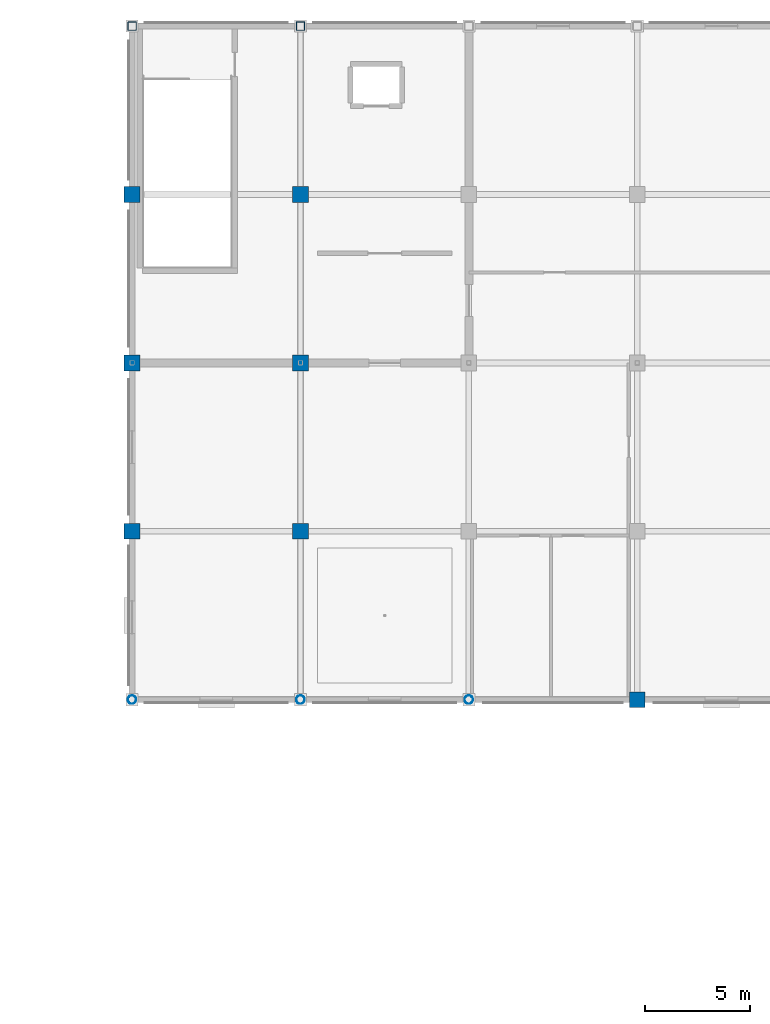
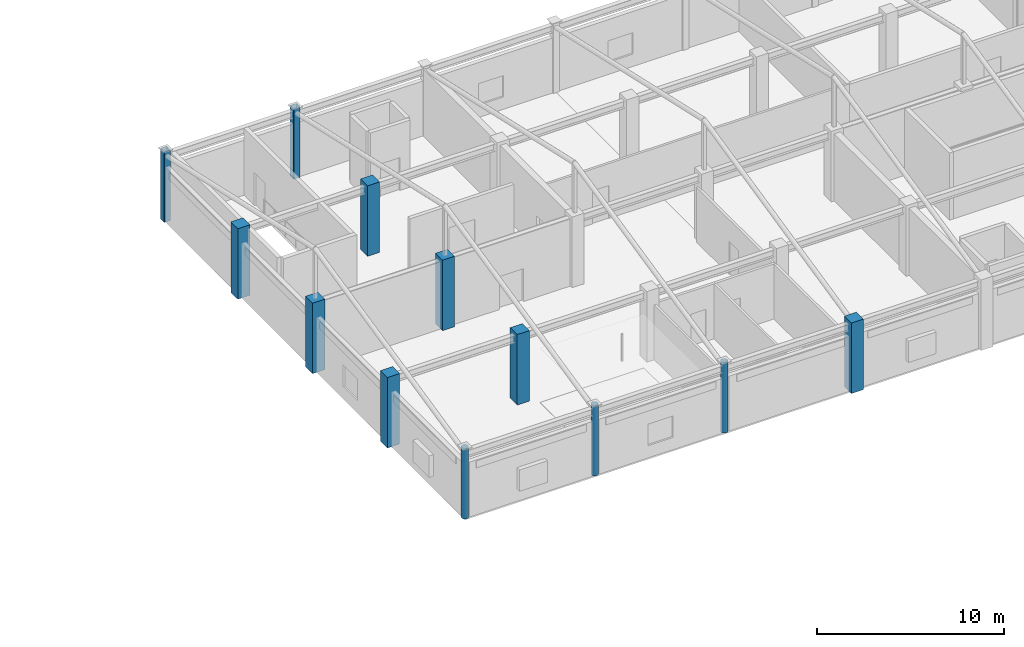
# One storey, part 2 of 16: 12 columns.
"""IFC4 building model written with IfcOpenShell, lengths in metres."""

from ifc_helpers import new_model, si_unit, direction, frame, origin, origin_2d, place, context, subcontext, project, spatial, rectangle, hollow_rectangle, hollow_circle, extrude, material, material_profile, profile_set, type_object, element, save


model = new_model("IFC4")

# Units and contexts
model_context = context("Model", 3, precision=1e-05, world=origin(), true_north=direction((0.0, 1.0)))
body_context = subcontext(model_context, "Body", "Model", "MODEL_VIEW")
ifc_project = project(units=[si_unit("LENGTHUNIT", "METRE"), si_unit("AREAUNIT", "SQUARE_METRE"), si_unit("VOLUMEUNIT", "CUBIC_METRE"), si_unit("PLANEANGLEUNIT", "RADIAN"), si_unit("MASSUNIT", "GRAM", prefix="KILO")], contexts=[model_context])

# Site, building, storey
site_placement = place(None, origin())
site = spatial("IfcSite", under=ifc_project, at=site_placement, CompositionType="ELEMENT")
building_placement = place(site_placement, origin())
building = spatial("IfcBuilding", under=site, at=building_placement, Name="Solmirada Galleria", CompositionType="ELEMENT")
storey_placement = place(building_placement, frame((0.0, 0.0, 32.89990234375)))
storey = spatial("IfcBuildingStorey", under=building, at=storey_placement, Name="L07", CompositionType="ELEMENT", Elevation=32.89990234375)

# Columns
ifc_material_1 = material(Name="Steel S355 / ASTM A500 Grade C", Category="steel")
ifc_material_profile_1 = material_profile(ifc_material_1, hollow_circle(Radius=0.202880859375, WallThickness=0.01171875, at=origin_2d()), Name="HSS16.000X0.500")
ifc_profile_set_1 = profile_set([ifc_material_profile_1], Name="Steel S355 / ASTM A500 Grade C")
column_type_1 = type_object("IfcColumnType", Name="COL-CHS16", PredefinedType="COLUMN", material=ifc_profile_set_1)
for number, where, z_axis, x_axis, name in (
    (1, (128.0, 88.0, 0.0), (0.0, 0.0, 1.0), (1.0, 0.0, 0.0), "Structural column L07-1067"),
    (2, (136.0, 88.0, 0.0), (0.0, 0.0, 1.0), (1.0, 0.0, 0.0), "Structural column L07-1168"),
    (3, (144.0, 88.0, 0.0), (0.0, 0.0, 1.0), (1.0, 0.0, 0.0), "Structural column L07-1254"),
):
    element("IfcColumn", number, at=place(storey_placement, frame(where, z_axis=z_axis, x_axis=x_axis)), inside=storey, type_object=column_type_1, Name=name, PredefinedType="COLUMN", context=body_context, shape_type="SweptSolid", body=[
        extrude(hollow_circle(Radius=0.202880859375, WallThickness=0.01171875, at=origin_2d()), origin(), (0.0, 0.0, 1.0), 4.60009765625),
    ])
ifc_material_profile_2 = material_profile(ifc_material_1, hollow_rectangle(XDim=0.406005859375, YDim=0.406005859375, WallThickness=0.0146484375, InnerFilletRadius=0.0146484375, OuterFilletRadius=0.029296875, at=origin_2d()), Name="HSS16X16X5/8")
ifc_profile_set_2 = profile_set([ifc_material_profile_2], Name="Steel S355 / ASTM A500 Grade C")
column_type_2 = type_object("IfcColumnType", Name="COL-HSS16", PredefinedType="COLUMN", material=ifc_profile_set_2)
for number, where, z_axis, x_axis, name in (
    (4, (128.0, 120.0, 0.0), (0.0, 0.0, 1.0), (1.0, 0.0, 0.0), "Structural column L07-1103"),
    (5, (136.0, 120.0, 0.0), (0.0, 0.0, 1.0), (1.0, 0.0, 0.0), "Structural column L07-1204"),
):
    element("IfcColumn", number, at=place(storey_placement, frame(where, z_axis=z_axis, x_axis=x_axis)), inside=storey, type_object=column_type_2, Name=name, PredefinedType="COLUMN", context=body_context, shape_type="SweptSolid", body=[
        extrude(hollow_rectangle(XDim=0.406005859375, YDim=0.406005859375, WallThickness=0.0146484375, InnerFilletRadius=0.0146484375, OuterFilletRadius=0.029296875, at=origin_2d()), origin(), (0.0, 0.0, 1.0), 4.60009765625),
    ])
ifc_material_2 = material(Name="Concrete C40/50", Category="concrete")
ifc_material_profile_3 = material_profile(ifc_material_2, rectangle(XDim=0.75, YDim=0.75, at=origin_2d()), Name="RC750X750")
ifc_profile_set_3 = profile_set([ifc_material_profile_3], Name="Concrete C40/50")
column_type_3 = type_object("IfcColumnType", Name="COL-RC750", PredefinedType="COLUMN", material=ifc_profile_set_3)
for number, where, z_axis, x_axis, name in (
    (6, (128.0, 96.0, 0.0), (0.0, 0.0, 1.0), (1.0, 0.0, 0.0), "Structural column L07-1076"),
    (7, (128.0, 104.0, 0.0), (0.0, 0.0, 1.0), (1.0, 0.0, 0.0), "Structural column L07-1085"),
    (8, (128.0, 112.0, 0.0), (0.0, 0.0, 1.0), (1.0, 0.0, 0.0), "Structural column L07-1094"),
    (9, (136.0, 96.0, 0.0), (0.0, 0.0, 1.0), (1.0, 0.0, 0.0), "Structural column L07-1177"),
    (10, (136.0, 104.0, 0.0), (0.0, 0.0, 1.0), (1.0, 0.0, 0.0), "Structural column L07-1186"),
    (11, (136.0, 112.0, 0.0), (0.0, 0.0, 1.0), (1.0, 0.0, 0.0), "Structural column L07-1195"),
    (12, (152.0, 88.0, 0.0), (0.0, 0.0, 1.0), (1.0, 0.0, 0.0), "Structural column L07-1327"),
):
    element("IfcColumn", number, at=place(storey_placement, frame(where, z_axis=z_axis, x_axis=x_axis)), inside=storey, type_object=column_type_3, Name=name, PredefinedType="COLUMN", context=body_context, shape_type="SweptSolid", body=[
        extrude(rectangle(XDim=0.75, YDim=0.75, at=origin_2d()), origin(), (0.0, 0.0, 1.0), 4.60009765625),
    ])

save(model, "model.ifc")
